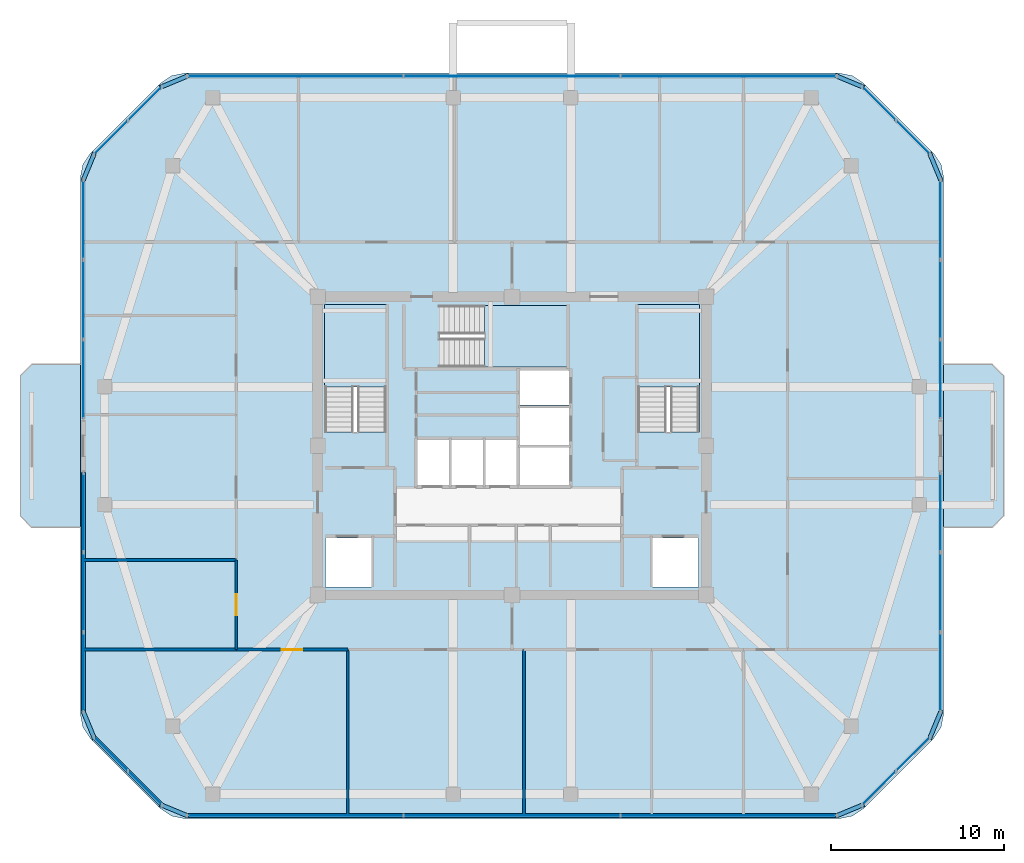
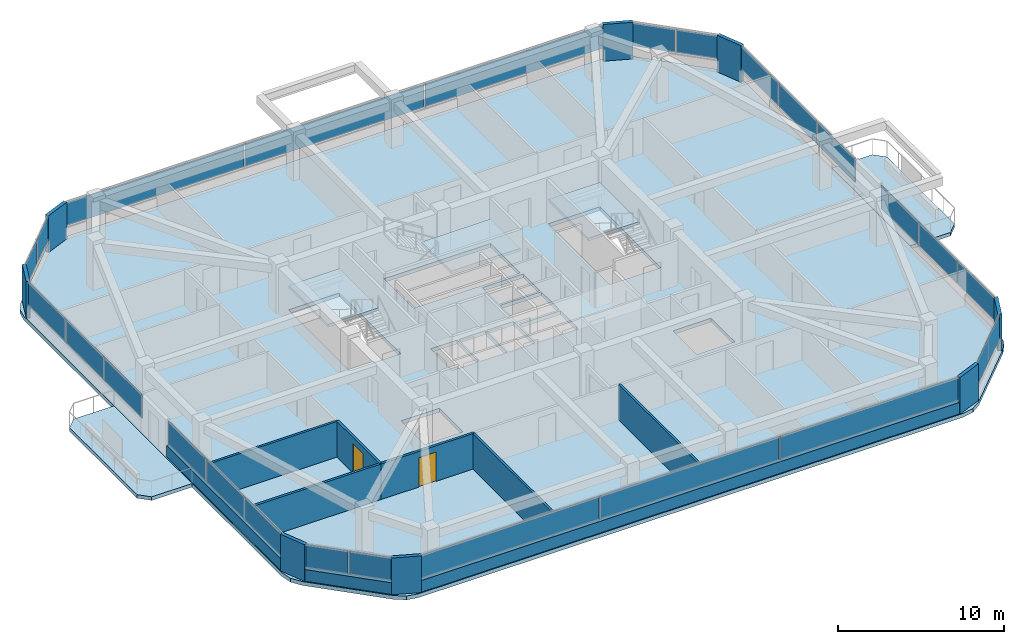
# One storey, part 8 of 14: 34 plates, 9 walls, 6 slabs, 2 doors, 2 openings, 13 elements without a shape of their own.
"""IFC4 building model written with IfcOpenShell, lengths in metres."""

from ifc_helpers import new_model, si_unit, derived_unit, direction, frame, frame_2d, origin, origin_2d, place, context, subcontext, project, spatial, polyline, rectangle, outline, extrude, material, layer, layer_set, type_object, element, fill, aggregate, save


model = new_model("IFC4")

# Units and contexts
model_context = context("Model", 3, precision=1e-05, world=origin(), true_north=direction((0.0, 1.0)))
body_context = subcontext(model_context, "Body", "Model", "MODEL_VIEW")
ifc_project = project(units=[si_unit("LENGTHUNIT", "METRE"), si_unit("AREAUNIT", "SQUARE_METRE"), si_unit("VOLUMEUNIT", "CUBIC_METRE"), si_unit("PLANEANGLEUNIT", "RADIAN"), si_unit("MASSUNIT", "GRAM", prefix="KILO"), derived_unit("THERMALTRANSMITTANCEUNIT", [(si_unit("POWERUNIT", "WATT"), 1), (si_unit("LENGTHUNIT", "METRE"), -2), (si_unit("THERMODYNAMICTEMPERATUREUNIT", "KELVIN"), -1)])], contexts=[model_context])

# Site, building, storey
site_placement = place(None, origin())
site = spatial("IfcSite", under=ifc_project, at=site_placement, CompositionType="ELEMENT")
building_placement = place(site_placement, origin())
building = spatial("IfcBuilding", under=site, at=building_placement, Name="Koralith Skygarden Medical Center", CompositionType="ELEMENT")
storey_placement = place(building_placement, frame((0.0, 0.0, 242.820068359375)))
storey = spatial("IfcBuildingStorey", under=building, at=storey_placement, Name="L62", CompositionType="ELEMENT", Elevation=242.820068359375)

# Curtain wall, plates
ifc_material_1 = material(Name="Clear Laminated Glass", Category="glass")
curtain_wall_type = type_object("IfcCurtainWallType", Name="CW-6 Zone 5 Upper Clinical Curtain Wall", PredefinedType="NOTDEFINED", material=ifc_material_1)
curtain_wall_1_placement = place(storey_placement, origin())
curtain_wall_1 = element("IfcCurtainWall", 1, at=curtain_wall_1_placement, inside=storey, type_object=curtain_wall_type, Name="Curtain Wall CW-L62-S", PredefinedType="NOTDEFINED")
ifc_layer_1 = layer(ifc_material_1, 0.0400390625)
ifc_layer_set_1 = layer_set([ifc_layer_1], Name="Clear Laminated Glass")
plate_type_1 = type_object("IfcPlateType", Name="CW-6 Hurricane Laminated IGU Panel 40", PredefinedType="CURTAIN_PANEL", material=ifc_layer_set_1)
plate_1_placement = place(storey_placement, frame((24.5029296875, 4.580078125, 0.919921875), z_axis=(0.0, 0.0, 1.0), x_axis=(1.0, 0.0, 0.0)))
plate_1 = element("IfcPlate", 2, at=plate_1_placement, type_object=plate_type_1, Name="CW-L62-S Glazed Panel 1", PredefinedType="CURTAIN_PANEL", context=body_context, shape_type="SweptSolid", body=[
    extrude(rectangle(XDim=12.406982421875, YDim=0.0400390625, at=origin_2d()), origin(), (0.0, 0.0, 1.0), 1.699951171875),
])
plate_2_placement = place(storey_placement, frame((37.0, 4.580078125, 0.919921875), z_axis=(0.0, 0.0, 1.0), x_axis=(1.0, 0.0, 0.0)))
plate_2 = element("IfcPlate", 3, at=plate_2_placement, type_object=plate_type_1, Name="CW-L62-S Glazed Panel 2", PredefinedType="CURTAIN_PANEL", context=body_context, shape_type="SweptSolid", body=[
    extrude(rectangle(XDim=12.406982421875, YDim=0.0400390625, at=origin_2d()), origin(), (0.0, 0.0, 1.0), 1.699951171875),
])
plate_3_placement = place(storey_placement, frame((49.4970703125, 4.580078125, 0.919921875), z_axis=(0.0, 0.0, 1.0), x_axis=(1.0, 0.0, 0.0)))
plate_3 = element("IfcPlate", 4, at=plate_3_placement, type_object=plate_type_1, Name="CW-L62-S Glazed Panel 3", PredefinedType="CURTAIN_PANEL", context=body_context, shape_type="SweptSolid", body=[
    extrude(rectangle(XDim=12.406982421875, YDim=0.0400390625, at=origin_2d()), origin(), (0.0, 0.0, 1.0), 1.699951171875),
])
aggregate(curtain_wall_1, [plate_1, plate_2, plate_3])

curtain_wall_2_placement = place(storey_placement, origin())
curtain_wall_2 = element("IfcCurtainWall", 5, at=curtain_wall_2_placement, inside=storey, type_object=curtain_wall_type, Name="Curtain Wall CW-L62-SE", PredefinedType="NOTDEFINED")
plate_4_placement = place(storey_placement, frame((58.177001953125, 6.162109375, 0.919921875), z_axis=(0.0, 0.0, 1.0), x_axis=(0.707106781187, 0.707106781187, 0.0)))
plate_4 = element("IfcPlate", 6, at=plate_4_placement, type_object=plate_type_1, Name="CW-L62-SE Glazed Panel 1", PredefinedType="CURTAIN_PANEL", context=body_context, shape_type="SweptSolid", body=[
    extrude(rectangle(XDim=2.68408203125, YDim=0.0400390625, at=origin_2d()), origin(), (0.0, 0.0, 1.0), 1.699951171875),
])
plate_5_placement = place(storey_placement, frame((60.137939453125, 8.123046875, 0.919921875), z_axis=(0.0, 0.0, 1.0), x_axis=(0.707106781187, 0.707106781187, 0.0)))
plate_5 = element("IfcPlate", 7, at=plate_5_placement, type_object=plate_type_1, Name="CW-L62-SE Glazed Panel 2", PredefinedType="CURTAIN_PANEL", context=body_context, shape_type="SweptSolid", body=[
    extrude(rectangle(XDim=2.68408203125, YDim=0.0400390625, at=origin_2d()), origin(), (0.0, 0.0, 1.0), 1.699951171875),
])
aggregate(curtain_wall_2, [plate_4, plate_5])

curtain_wall_3_placement = place(storey_placement, origin())
curtain_wall_3 = element("IfcCurtainWall", 8, at=curtain_wall_3_placement, inside=storey, type_object=curtain_wall_type, Name="Curtain Wall CW-L62-E-L", PredefinedType="NOTDEFINED")
plate_6_placement = place(storey_placement, frame((61.719970703125, 12.85595703125, 0.919921875), z_axis=(0.0, 0.0, 1.0), x_axis=(0.0, 1.0, 0.0)))
plate_6 = element("IfcPlate", 9, at=plate_6_placement, type_object=plate_type_1, Name="CW-L62-E-L Glazed Panel 1", PredefinedType="CURTAIN_PANEL", context=body_context, shape_type="SweptSolid", body=[
    extrude(rectangle(XDim=4.511962890625, YDim=0.0400390625, at=origin_2d()), origin(), (0.0, 0.0, 1.0), 1.699951171875),
])
plate_7_placement = place(storey_placement, frame((61.719970703125, 17.45703125, 0.919921875), z_axis=(0.0, 0.0, 1.0), x_axis=(0.0, 1.0, 0.0)))
plate_7 = element("IfcPlate", 10, at=plate_7_placement, type_object=plate_type_1, Name="CW-L62-E-L Glazed Panel 2", PredefinedType="CURTAIN_PANEL", context=body_context, shape_type="SweptSolid", body=[
    extrude(rectangle(XDim=4.511962890625, YDim=0.0400390625, at=origin_2d()), origin(), (0.0, 0.0, 1.0), 1.699951171875),
])
plate_8_placement = place(storey_placement, frame((61.719970703125, 22.05908203125, 0.919921875), z_axis=(0.0, 0.0, 1.0), x_axis=(0.0, 1.0, 0.0)))
plate_8 = element("IfcPlate", 11, at=plate_8_placement, type_object=plate_type_1, Name="CW-L62-E-L Glazed Panel 3", PredefinedType="CURTAIN_PANEL", context=body_context, shape_type="SweptSolid", body=[
    extrude(rectangle(XDim=4.511962890625, YDim=0.0400390625, at=origin_2d()), origin(), (0.0, 0.0, 1.0), 1.699951171875),
])
aggregate(curtain_wall_3, [plate_6, plate_7, plate_8])

curtain_wall_4_placement = place(storey_placement, origin())
curtain_wall_4 = element("IfcCurtainWall", 12, at=curtain_wall_4_placement, inside=storey, type_object=curtain_wall_type, Name="Curtain Wall CW-L62-E-R", PredefinedType="NOTDEFINED")
plate_9_placement = place(storey_placement, frame((61.719970703125, 29.740966796875, 0.919921875), z_axis=(0.0, 0.0, 1.0), x_axis=(0.0, 1.0, 0.0)))
plate_9 = element("IfcPlate", 13, at=plate_9_placement, type_object=plate_type_1, Name="CW-L62-E-R Glazed Panel 1", PredefinedType="CURTAIN_PANEL", context=body_context, shape_type="SweptSolid", body=[
    extrude(rectangle(XDim=4.511962890625, YDim=0.0400390625, at=origin_2d()), origin(), (0.0, 0.0, 1.0), 1.699951171875),
])
plate_10_placement = place(storey_placement, frame((61.719970703125, 34.343017578125, 0.919921875), z_axis=(0.0, 0.0, 1.0), x_axis=(0.0, 1.0, 0.0)))
plate_10 = element("IfcPlate", 14, at=plate_10_placement, type_object=plate_type_1, Name="CW-L62-E-R Glazed Panel 2", PredefinedType="CURTAIN_PANEL", context=body_context, shape_type="SweptSolid", body=[
    extrude(rectangle(XDim=4.511962890625, YDim=0.0400390625, at=origin_2d()), origin(), (0.0, 0.0, 1.0), 1.699951171875),
])
plate_11_placement = place(storey_placement, frame((61.719970703125, 38.944091796875, 0.919921875), z_axis=(0.0, 0.0, 1.0), x_axis=(0.0, 1.0, 0.0)))
plate_11 = element("IfcPlate", 15, at=plate_11_placement, type_object=plate_type_1, Name="CW-L62-E-R Glazed Panel 3", PredefinedType="CURTAIN_PANEL", context=body_context, shape_type="SweptSolid", body=[
    extrude(rectangle(XDim=4.511962890625, YDim=0.0400390625, at=origin_2d()), origin(), (0.0, 0.0, 1.0), 1.699951171875),
])
aggregate(curtain_wall_4, [plate_9, plate_10, plate_11])

curtain_wall_5_placement = place(storey_placement, origin())
curtain_wall_5 = element("IfcCurtainWall", 16, at=curtain_wall_5_placement, inside=storey, type_object=curtain_wall_type, Name="Curtain Wall CW-L62-NE", PredefinedType="NOTDEFINED")
plate_12_placement = place(storey_placement, frame((60.137939453125, 43.677001953125, 0.919921875), z_axis=(0.0, 0.0, 1.0), x_axis=(-0.707106781187, 0.707106781187, 0.0)))
plate_12 = element("IfcPlate", 17, at=plate_12_placement, type_object=plate_type_1, Name="CW-L62-NE Glazed Panel 1", PredefinedType="CURTAIN_PANEL", context=body_context, shape_type="SweptSolid", body=[
    extrude(rectangle(XDim=2.68408203125, YDim=0.0400390625, at=origin_2d()), origin(), (0.0, 0.0, 1.0), 1.699951171875),
])
plate_13_placement = place(storey_placement, frame((58.177001953125, 45.637939453125, 0.919921875), z_axis=(0.0, 0.0, 1.0), x_axis=(-0.707106781187, 0.707106781187, 0.0)))
plate_13 = element("IfcPlate", 18, at=plate_13_placement, type_object=plate_type_1, Name="CW-L62-NE Glazed Panel 2", PredefinedType="CURTAIN_PANEL", context=body_context, shape_type="SweptSolid", body=[
    extrude(rectangle(XDim=2.68408203125, YDim=0.0400390625, at=origin_2d()), origin(), (0.0, 0.0, 1.0), 1.699951171875),
])
aggregate(curtain_wall_5, [plate_12, plate_13])

curtain_wall_6_placement = place(storey_placement, origin())
curtain_wall_6 = element("IfcCurtainWall", 19, at=curtain_wall_6_placement, inside=storey, type_object=curtain_wall_type, Name="Curtain Wall CW-L62-N", PredefinedType="NOTDEFINED")
plate_14_placement = place(storey_placement, frame((49.4970703125, 47.219970703125, 0.919921875), z_axis=(0.0, 0.0, 1.0), x_axis=(-1.0, 0.0, 0.0)))
plate_14 = element("IfcPlate", 20, at=plate_14_placement, type_object=plate_type_1, Name="CW-L62-N Glazed Panel 1", PredefinedType="CURTAIN_PANEL", context=body_context, shape_type="SweptSolid", body=[
    extrude(rectangle(XDim=12.406982421875, YDim=0.0400390625, at=origin_2d()), origin(), (0.0, 0.0, 1.0), 1.699951171875),
])
plate_15_placement = place(storey_placement, frame((37.0, 47.219970703125, 0.919921875), z_axis=(0.0, 0.0, 1.0), x_axis=(-1.0, 0.0, 0.0)))
plate_15 = element("IfcPlate", 21, at=plate_15_placement, type_object=plate_type_1, Name="CW-L62-N Glazed Panel 2", PredefinedType="CURTAIN_PANEL", context=body_context, shape_type="SweptSolid", body=[
    extrude(rectangle(XDim=12.406982421875, YDim=0.0400390625, at=origin_2d()), origin(), (0.0, 0.0, 1.0), 1.699951171875),
])
plate_16_placement = place(storey_placement, frame((24.5029296875, 47.219970703125, 0.919921875), z_axis=(0.0, 0.0, 1.0), x_axis=(-1.0, 0.0, 0.0)))
plate_16 = element("IfcPlate", 22, at=plate_16_placement, type_object=plate_type_1, Name="CW-L62-N Glazed Panel 3", PredefinedType="CURTAIN_PANEL", context=body_context, shape_type="SweptSolid", body=[
    extrude(rectangle(XDim=12.406982421875, YDim=0.0400390625, at=origin_2d()), origin(), (0.0, 0.0, 1.0), 1.699951171875),
])
aggregate(curtain_wall_6, [plate_14, plate_15, plate_16])

curtain_wall_7_placement = place(storey_placement, origin())
curtain_wall_7 = element("IfcCurtainWall", 23, at=curtain_wall_7_placement, inside=storey, type_object=curtain_wall_type, Name="Curtain Wall CW-L62-NW", PredefinedType="NOTDEFINED")
plate_17_placement = place(storey_placement, frame((15.822998046875, 45.637939453125, 0.919921875), z_axis=(0.0, 0.0, 1.0), x_axis=(-0.707106781187, -0.707106781187, 0.0)))
plate_17 = element("IfcPlate", 24, at=plate_17_placement, type_object=plate_type_1, Name="CW-L62-NW Glazed Panel 1", PredefinedType="CURTAIN_PANEL", context=body_context, shape_type="SweptSolid", body=[
    extrude(rectangle(XDim=2.68408203125, YDim=0.0400390625, at=origin_2d()), origin(), (0.0, 0.0, 1.0), 1.699951171875),
])
plate_18_placement = place(storey_placement, frame((13.862060546875, 43.677001953125, 0.919921875), z_axis=(0.0, 0.0, 1.0), x_axis=(-0.707106781187, -0.707106781187, 0.0)))
plate_18 = element("IfcPlate", 25, at=plate_18_placement, type_object=plate_type_1, Name="CW-L62-NW Glazed Panel 2", PredefinedType="CURTAIN_PANEL", context=body_context, shape_type="SweptSolid", body=[
    extrude(rectangle(XDim=2.68408203125, YDim=0.0400390625, at=origin_2d()), origin(), (0.0, 0.0, 1.0), 1.699951171875),
])
aggregate(curtain_wall_7, [plate_17, plate_18])

curtain_wall_8_placement = place(storey_placement, origin())
curtain_wall_8 = element("IfcCurtainWall", 26, at=curtain_wall_8_placement, inside=storey, type_object=curtain_wall_type, Name="Curtain Wall CW-L62-W-L", PredefinedType="NOTDEFINED")
plate_19_placement = place(storey_placement, frame((12.280029296875, 38.944091796875, 0.919921875), z_axis=(0.0, 0.0, 1.0), x_axis=(0.0, -1.0, 0.0)))
plate_19 = element("IfcPlate", 27, at=plate_19_placement, type_object=plate_type_1, Name="CW-L62-W-L Glazed Panel 1", PredefinedType="CURTAIN_PANEL", context=body_context, shape_type="SweptSolid", body=[
    extrude(rectangle(XDim=4.511962890625, YDim=0.0400390625, at=origin_2d()), origin(), (0.0, 0.0, 1.0), 1.699951171875),
])
plate_20_placement = place(storey_placement, frame((12.280029296875, 34.343017578125, 0.919921875), z_axis=(0.0, 0.0, 1.0), x_axis=(0.0, -1.0, 0.0)))
plate_20 = element("IfcPlate", 28, at=plate_20_placement, type_object=plate_type_1, Name="CW-L62-W-L Glazed Panel 2", PredefinedType="CURTAIN_PANEL", context=body_context, shape_type="SweptSolid", body=[
    extrude(rectangle(XDim=4.511962890625, YDim=0.0400390625, at=origin_2d()), origin(), (0.0, 0.0, 1.0), 1.699951171875),
])
plate_21_placement = place(storey_placement, frame((12.280029296875, 29.740966796875, 0.919921875), z_axis=(0.0, 0.0, 1.0), x_axis=(0.0, -1.0, 0.0)))
plate_21 = element("IfcPlate", 29, at=plate_21_placement, type_object=plate_type_1, Name="CW-L62-W-L Glazed Panel 3", PredefinedType="CURTAIN_PANEL", context=body_context, shape_type="SweptSolid", body=[
    extrude(rectangle(XDim=4.511962890625, YDim=0.0400390625, at=origin_2d()), origin(), (0.0, 0.0, 1.0), 1.699951171875),
])
aggregate(curtain_wall_8, [plate_19, plate_20, plate_21])

curtain_wall_9_placement = place(storey_placement, origin())
curtain_wall_9 = element("IfcCurtainWall", 30, at=curtain_wall_9_placement, inside=storey, type_object=curtain_wall_type, Name="Curtain Wall CW-L62-W-R", PredefinedType="NOTDEFINED")
plate_22_placement = place(storey_placement, frame((12.280029296875, 22.05908203125, 0.919921875), z_axis=(0.0, 0.0, 1.0), x_axis=(0.0, -1.0, 0.0)))
plate_22 = element("IfcPlate", 31, at=plate_22_placement, type_object=plate_type_1, Name="CW-L62-W-R Glazed Panel 1", PredefinedType="CURTAIN_PANEL", context=body_context, shape_type="SweptSolid", body=[
    extrude(rectangle(XDim=4.511962890625, YDim=0.0400390625, at=origin_2d()), origin(), (0.0, 0.0, 1.0), 1.699951171875),
])
plate_23_placement = place(storey_placement, frame((12.280029296875, 17.45703125, 0.919921875), z_axis=(0.0, 0.0, 1.0), x_axis=(0.0, -1.0, 0.0)))
plate_23 = element("IfcPlate", 32, at=plate_23_placement, type_object=plate_type_1, Name="CW-L62-W-R Glazed Panel 2", PredefinedType="CURTAIN_PANEL", context=body_context, shape_type="SweptSolid", body=[
    extrude(rectangle(XDim=4.511962890625, YDim=0.0400390625, at=origin_2d()), origin(), (0.0, 0.0, 1.0), 1.699951171875),
])
plate_24_placement = place(storey_placement, frame((12.280029296875, 12.85595703125, 0.919921875), z_axis=(0.0, 0.0, 1.0), x_axis=(0.0, -1.0, 0.0)))
plate_24 = element("IfcPlate", 33, at=plate_24_placement, type_object=plate_type_1, Name="CW-L62-W-R Glazed Panel 3", PredefinedType="CURTAIN_PANEL", context=body_context, shape_type="SweptSolid", body=[
    extrude(rectangle(XDim=4.511962890625, YDim=0.0400390625, at=origin_2d()), origin(), (0.0, 0.0, 1.0), 1.699951171875),
])
aggregate(curtain_wall_9, [plate_22, plate_23, plate_24])

curtain_wall_10_placement = place(storey_placement, origin())
curtain_wall_10 = element("IfcCurtainWall", 34, at=curtain_wall_10_placement, inside=storey, type_object=curtain_wall_type, Name="Curtain Wall CW-L62-SW", PredefinedType="NOTDEFINED")
plate_25_placement = place(storey_placement, frame((13.862060546875, 8.123046875, 0.919921875), z_axis=(0.0, 0.0, 1.0), x_axis=(0.707106781187, -0.707106781187, 0.0)))
plate_25 = element("IfcPlate", 35, at=plate_25_placement, type_object=plate_type_1, Name="CW-L62-SW Glazed Panel 1", PredefinedType="CURTAIN_PANEL", context=body_context, shape_type="SweptSolid", body=[
    extrude(rectangle(XDim=2.68408203125, YDim=0.0400390625, at=origin_2d()), origin(), (0.0, 0.0, 1.0), 1.699951171875),
])
plate_26_placement = place(storey_placement, frame((15.822998046875, 6.162109375, 0.919921875), z_axis=(0.0, 0.0, 1.0), x_axis=(0.707106781187, -0.707106781187, 0.0)))
plate_26 = element("IfcPlate", 36, at=plate_26_placement, type_object=plate_type_1, Name="CW-L62-SW Glazed Panel 2", PredefinedType="CURTAIN_PANEL", context=body_context, shape_type="SweptSolid", body=[
    extrude(rectangle(XDim=2.68408203125, YDim=0.0400390625, at=origin_2d()), origin(), (0.0, 0.0, 1.0), 1.699951171875),
])
aggregate(curtain_wall_10, [plate_25, plate_26])

# Slabs
ifc_material_2 = material(Name="Concrete C45/55", Category="concrete")
ifc_layer_2 = layer(ifc_material_2, 0.260009765625)
ifc_layer_set_2 = layer_set([ifc_layer_2], Name="Concrete C45/55")
slab_type_1 = type_object("IfcSlabType", Name="Cantilevered Planted Balcony Slab 260", PredefinedType="FLOOR", material=ifc_layer_set_2)
slab_1_placement = place(storey_placement, frame((0.0, 0.0, -0.260009765625)))
element("IfcSlab", 37, at=slab_1_placement, inside=storey, type_object=slab_type_1, Name="L62 E Planted Sky-Garden Balcony Slab", PredefinedType="FLOOR", context=body_context, shape_type="SweptSolid", body=[
    extrude(outline(polyline([(61.89990234375, 21.199951171875), (64.699951171875, 21.199951171875), (65.35009765625, 21.85009765625), (65.35009765625, 29.949951171875), (64.699951171875, 30.60009765625), (61.89990234375, 30.60009765625), (61.89990234375, 21.199951171875)])), origin(), (0.0, 0.0, 1.0), 0.260009765625),
])
slab_2_placement = place(storey_placement, frame((0.0, 0.0, -0.260009765625)))
element("IfcSlab", 38, at=slab_2_placement, inside=storey, type_object=slab_type_1, Name="L62 W Planted Sky-Garden Balcony Slab", PredefinedType="FLOOR", context=body_context, shape_type="SweptSolid", body=[
    extrude(outline(polyline([(9.300048828125, 21.199951171875), (12.10009765625, 21.199951171875), (12.10009765625, 30.60009765625), (9.300048828125, 30.60009765625), (8.64990234375, 29.949951171875), (8.64990234375, 21.85009765625), (9.300048828125, 21.199951171875)])), origin(), (0.0, 0.0, 1.0), 0.260009765625),
])

# Stair, slab
stair_type = type_object("IfcStairType", Name="Core Exit Dogleg Concrete Stair", PredefinedType="HALF_TURN_STAIR", material=ifc_material_2)
stair_1_placement = place(storey_placement, origin())
stair_1 = element("IfcStair", 39, at=stair_1_placement, inside=storey, type_object=stair_type, Name="L62 Smokeproof Exit Stair ST1", PredefinedType="HALF_TURN_STAIR")
ifc_layer_3 = layer(ifc_material_2, 0.199951171875)
ifc_layer_set_3 = layer_set([ifc_layer_3], Name="Concrete C45/55")
slab_type_2 = type_object("IfcSlabType", Name="Core Exit Concrete Stair Landing 200", PredefinedType="LANDING", material=ifc_layer_set_3)
slab_3_placement = place(storey_placement, frame((0.0, 0.0, 1.599853515625)))
slab_3 = element("IfcSlab", 40, at=slab_3_placement, type_object=slab_type_2, Name="ST1 landing 1", PredefinedType="LANDING", context=body_context, shape_type="SweptSolid", body=[
    extrude(outline(polyline([(29.75, 29.31005859375), (29.75, 34.050048828125), (26.199951171875, 34.050048828125), (26.199951171875, 29.31005859375), (29.75, 29.31005859375)])), origin(), (0.0, 0.0, 1.0), 0.2001953125),
])
aggregate(stair_1, [slab_3])

stair_2_placement = place(storey_placement, origin())
stair_2 = element("IfcStair", 41, at=stair_2_placement, inside=storey, type_object=stair_type, Name="L62 Smokeproof Exit Stair ST2", PredefinedType="HALF_TURN_STAIR")
slab_4_placement = place(storey_placement, frame((0.0, 0.0, 1.599853515625)))
slab_4 = element("IfcSlab", 42, at=slab_4_placement, type_object=slab_type_2, Name="ST2 landing 1", PredefinedType="LANDING", context=body_context, shape_type="SweptSolid", body=[
    extrude(outline(polyline([(47.800048828125, 29.31005859375), (47.800048828125, 34.050048828125), (44.25, 34.050048828125), (44.25, 29.31005859375), (47.800048828125, 29.31005859375)])), origin(), (0.0, 0.0, 1.0), 0.2001953125),
])
aggregate(stair_2, [slab_4])

stair_3_placement = place(storey_placement, origin())
stair_3 = element("IfcStair", 43, at=stair_3_placement, inside=storey, type_object=stair_type, Name="L62 Smokeproof Exit Stair ST3", PredefinedType="HALF_TURN_STAIR")
slab_5_placement = place(storey_placement, frame((0.0, 0.0, 1.599853515625)))
slab_5 = element("IfcSlab", 44, at=slab_5_placement, type_object=slab_type_2, Name="ST3 landing 1", PredefinedType="LANDING", context=body_context, shape_type="SweptSolid", body=[
    extrude(outline(polyline([(35.409912109375, 30.449951171875), (40.199951171875, 30.449951171875), (40.199951171875, 34.0), (35.409912109375, 34.0), (35.409912109375, 30.449951171875)])), origin(), (0.0, 0.0, 1.0), 0.2001953125),
])
aggregate(stair_3, [slab_5])

# Slab
ifc_layer_4 = layer(ifc_material_2, 0.280029296875)
ifc_layer_set_4 = layer_set([ifc_layer_4], Name="Concrete C45/55")
slab_type_3 = type_object("IfcSlabType", Name="Post-Tensioned Ward Floor Plate 280", PredefinedType="FLOOR", material=ifc_layer_set_4)
slab_6_placement = place(storey_placement, frame((0.0, 0.0, -0.280029296875)))
element("IfcSlab", 45, at=slab_6_placement, inside=storey, type_object=slab_type_3, Name="Level L62 Structural Floor Slab", PredefinedType="FLOOR", context=body_context, shape_type="SweptSolid", body=[
    extrude(outline(polyline([(16.714111328125, 4.986083984375), (17.363037109375, 4.552001953125), (18.1279296875, 4.39990234375), (55.8720703125, 4.39990234375), (56.636962890625, 4.552001953125), (57.285888671875, 4.986083984375), (61.31396484375, 9.013916015625), (61.748046875, 9.6630859375), (61.89990234375, 10.427978515625), (61.89990234375, 41.3720703125), (61.748046875, 42.136962890625), (61.31396484375, 42.785888671875), (57.285888671875, 46.81396484375), (56.636962890625, 47.248046875), (55.8720703125, 47.39990234375), (18.1279296875, 47.39990234375), (17.363037109375, 47.248046875), (16.714111328125, 46.81396484375), (12.68603515625, 42.785888671875), (12.251953125, 42.136962890625), (12.10009765625, 41.3720703125), (12.10009765625, 10.427978515625), (12.251953125, 9.6630859375), (12.68603515625, 9.013916015625), (16.714111328125, 4.986083984375)]), holes=[polyline([(26.199951171875, 26.705078125), (29.75, 26.705078125), (29.75, 34.050048828125), (26.199951171875, 34.050048828125), (26.199951171875, 26.705078125)]), polyline([(44.25, 26.705078125), (47.800048828125, 26.705078125), (47.800048828125, 34.050048828125), (44.25, 34.050048828125), (44.25, 26.705078125)]), polyline([(32.804931640625, 30.449951171875), (40.199951171875, 30.449951171875), (40.199951171875, 34.0), (32.804931640625, 34.0), (32.804931640625, 30.449951171875)]), polyline([(26.25, 17.75), (28.89990234375, 17.75), (28.89990234375, 20.60009765625), (26.25, 20.60009765625), (26.25, 17.75)]), polyline([(45.10009765625, 17.75), (47.75, 17.75), (47.75, 20.60009765625), (45.10009765625, 20.60009765625), (45.10009765625, 17.75)]), polyline([(31.550048828125, 23.64990234375), (33.39990234375, 23.64990234375), (33.39990234375, 26.25), (31.550048828125, 26.25), (31.550048828125, 23.64990234375)]), polyline([(33.5, 23.64990234375), (35.35009765625, 23.64990234375), (35.35009765625, 26.25), (33.5, 26.25), (33.5, 23.64990234375)]), polyline([(35.449951171875, 23.64990234375), (37.300048828125, 23.64990234375), (37.300048828125, 26.25), (35.449951171875, 26.25), (35.449951171875, 23.64990234375)]), polyline([(37.449951171875, 23.64990234375), (40.300048828125, 23.64990234375), (40.300048828125, 25.800048828125), (37.449951171875, 25.800048828125), (37.449951171875, 23.64990234375)]), polyline([(37.449951171875, 25.949951171875), (40.300048828125, 25.949951171875), (40.300048828125, 28.10009765625), (37.449951171875, 28.10009765625), (37.449951171875, 25.949951171875)]), polyline([(37.449951171875, 28.25), (40.300048828125, 28.25), (40.300048828125, 30.25), (37.449951171875, 30.25), (37.449951171875, 28.25)])]), origin(), (0.0, 0.0, 1.0), 0.280029296875),
])

# Plates
ifc_material_3 = material(Name="Warm Oolitic Limestone Cladding", Category="masonry")
ifc_layer_5 = layer(ifc_material_3, 0.239990234375)
ifc_layer_set_5 = layer_set([ifc_layer_5], Name="Warm Oolitic Limestone Cladding")
plate_type_2 = type_object("IfcPlateType", Name="Rounded-Corner Oolitic Limestone Cladding Panel 240", PredefinedType="USERDEFINED", material=ifc_layer_set_5)
for number, where, z_axis, x_axis, name in (
    (46, (56.470947265625, 4.8798828125, 0.0), (0.0, 0.0, 1.0), (0.92388487569, 0.382670532536, 0.0), "L62 Rounded-Corner Limestone Pier 1"),
    (47, (61.4189453125, 9.8291015625, 0.0), (0.0, 0.0, 1.0), (0.382670532536, 0.92388487569, 0.0), "L62 Rounded-Corner Limestone Pier 2"),
    (48, (61.4189453125, 41.970947265625, 0.0), (0.0, 0.0, 1.0), (-0.382670532536, 0.92388487569, 0.0), "L62 Rounded-Corner Limestone Pier 3"),
    (49, (56.470947265625, 46.9189453125, 0.0), (0.0, 0.0, 1.0), (-0.92388487569, 0.382670532536, 0.0), "L62 Rounded-Corner Limestone Pier 4"),
    (50, (17.529052734375, 46.9189453125, 0.0), (0.0, 0.0, 1.0), (-0.92388487569, -0.382670532536, 0.0), "L62 Rounded-Corner Limestone Pier 5"),
    (51, (12.5810546875, 41.970947265625, 0.0), (0.0, 0.0, 1.0), (-0.382670532536, -0.92388487569, 0.0), "L62 Rounded-Corner Limestone Pier 6"),
    (52, (12.5810546875, 9.8291015625, 0.0), (0.0, 0.0, 1.0), (0.382670532536, -0.92388487569, 0.0), "L62 Rounded-Corner Limestone Pier 7"),
    (53, (17.529052734375, 4.8798828125, 0.0), (0.0, 0.0, 1.0), (0.92388487569, -0.382670532536, 0.0), "L62 Rounded-Corner Limestone Pier 8"),
):
    element("IfcPlate", number, at=place(storey_placement, frame(where, z_axis=z_axis, x_axis=x_axis)), inside=storey, type_object=plate_type_2, Name=name, ObjectType="LIMESTONE CLADDING", PredefinedType="USERDEFINED", context=body_context, shape_type="SweptSolid", body=[
        extrude(rectangle(XDim=1.81103515625, YDim=0.239990234375, at=origin_2d()), origin(), (0.0, 0.0, 1.0), 2.68994140625),
    ])

# Walls
ifc_material_4 = material(Name="Gypsum Board Partition")
ifc_layer_6 = layer(ifc_material_4, 0.14990234375)
ifc_layer_set_6 = layer_set([ifc_layer_6], Name="Gypsum Board Partition")
wall_type_1 = type_object("IfcWallType", Name="Clinical Acoustic Partition 150", PredefinedType="PARTITIONING", material=ifc_layer_set_6)
for number, where, z_axis, x_axis, name in (
    (54, (27.528076171875, 14.14990234375, 0.0), (0.0, 0.0, 1.0), (0.0, -1.0, 0.0), "L62 Clinical Acoustic Partition 150 W-PART-L62-S-01"),
    (55, (37.69091796875, 14.14990234375, 0.0), (0.0, 0.0, 1.0), (0.0, -1.0, 0.0), "L62 Clinical Acoustic Partition 150 W-PART-L62-S-02"),
):
    element("IfcWall", number, at=place(storey_placement, frame(where, z_axis=z_axis, x_axis=x_axis)), inside=storey, type_object=wall_type_1, Name=name, PredefinedType="PARTITIONING", context=body_context, shape_type="SweptSolid", body=[
        extrude(rectangle(XDim=9.5498046875, YDim=0.14990234375, at=frame_2d((4.77490234375, 0.0))), origin(), (0.0, 0.0, 1.0), 2.60986328125),
    ])
wall_1_placement = place(storey_placement, frame((21.10009765625, 19.320068359375, 0.0), z_axis=(0.0, 0.0, 1.0), x_axis=(-1.0, 0.0, 0.0)))
element("IfcWall", 56, at=wall_1_placement, inside=storey, type_object=wall_type_1, Name="L62 Clinical Acoustic Partition 150 W-PART-L62-W-01", PredefinedType="PARTITIONING", context=body_context, shape_type="SweptSolid", body=[
    extrude(rectangle(XDim=8.800048828125, YDim=0.14990234375, at=frame_2d((4.39990234375, 0.0))), origin(), (0.0, 0.0, 1.0), 2.60986328125),
])
ifc_layer_7 = layer(ifc_material_4, 0.1650390625)
ifc_layer_set_7 = layer_set([ifc_layer_7], Name="Gypsum Board Partition")
wall_type_2 = type_object("IfcWallType", Name="Clinical Corridor Partition 165", PredefinedType="PARTITIONING", material=ifc_layer_set_7)
wall_2_placement = place(storey_placement, frame((12.300048828125, 14.14990234375, 0.0), z_axis=(0.0, 0.0, 1.0), x_axis=(1.0, 0.0, 0.0)))
element("IfcWall", 57, at=wall_2_placement, inside=storey, type_object=wall_type_2, Name="L62 Clinical Corridor Partition 165 W-WB-L62-SW", PredefinedType="PARTITIONING", context=body_context, shape_type="SweptSolid", body=[
    extrude(rectangle(XDim=8.800048828125, YDim=0.1650390625, at=frame_2d((4.39990234375, 0.0))), origin(), (0.0, 0.0, 1.0), 2.60986328125),
])

# Wall, opening, door
wall_3_placement = place(storey_placement, frame((21.10009765625, 14.14990234375, 0.0), z_axis=(0.0, 0.0, 1.0), x_axis=(1.0, 0.0, 0.0)))
wall_3 = element("IfcWall", 58, at=wall_3_placement, inside=storey, type_object=wall_type_2, Name="L62 Clinical Corridor Partition 165 W-CORR-L62-S-01", PredefinedType="PARTITIONING", context=body_context, shape_type="SweptSolid", body=[
    extrude(rectangle(XDim=6.427978515625, YDim=0.1650390625, at=frame_2d((3.2138671875, 0.0))), origin(), (0.0, 0.0, 1.0), 2.60986328125),
])
opening_1_placement = place(wall_3_placement, frame((2.614013671875, 0.0, 0.0)))
opening_1 = element("IfcOpeningElement", 59, at=opening_1_placement, cuts=wall_3, Name="Opening D-CLN", PredefinedType="OPENING", context=body_context, shape_type="SweptSolid", body=[
    extrude(rectangle(XDim=1.199951171875, YDim=2.14990234375, at=frame_2d((0.60009765625, 1.074951171875))), frame((0.0, 0.092529296875, 0.0), z_axis=(0.0, -1.0, 0.0), x_axis=(1.0, 0.0, 0.0)), (0.0, 0.0, 1.0), 0.18505859375),
])
ifc_material_5 = material(Name="Aluminium 6063-T6", Category="aluminium")
door_type = type_object("IfcDoorType", Name="Clinical Corridor Door D-CLN 1200", OperationType="NOTDEFINED", PredefinedType="DOOR", material=ifc_material_5)
door_1_placement = place(opening_1_placement, frame((1.199951171875, 0.0, 0.0), z_axis=(0.0, 0.0, 1.0), x_axis=(-1.0, 0.0, 0.0)))
door_1 = element("IfcDoor", 60, at=door_1_placement, inside=storey, type_object=door_type, Name="L62 Clinical Pharmacist Office 06 Door", OperationType="SINGLE_SWING_LEFT", OverallHeight=2.14990234375, OverallWidth=1.199951171875, PredefinedType="DOOR", context=body_context, shape_type="SweptSolid", body=[
    extrude(rectangle(XDim=1.199951171875, YDim=2.14990234375, at=frame_2d((0.60009765625, 1.074951171875))), frame((0.0, 0.02490234375, 0.0), z_axis=(0.0, -1.0, 0.0), x_axis=(1.0, 0.0, 0.0)), (0.0, 0.0, 1.0), 0.050048828125),
])
fill(opening_1, door_1)

wall_4_placement = place(storey_placement, frame((21.10009765625, 14.14990234375, 0.0), z_axis=(0.0, 0.0, 1.0), x_axis=(0.0, 1.0, 0.0)))
wall_4 = element("IfcWall", 61, at=wall_4_placement, inside=storey, type_object=wall_type_2, Name="L62 Clinical Corridor Partition 165 W-CORR-L62-W-01", PredefinedType="PARTITIONING", context=body_context, shape_type="SweptSolid", body=[
    extrude(rectangle(XDim=5.170166015625, YDim=0.1650390625, at=frame_2d((2.5849609375, 0.0))), origin(), (0.0, 0.0, 1.0), 2.60986328125),
])
opening_2_placement = place(wall_4_placement, frame((1.985107421875, 0.0, 0.0)))
opening_2 = element("IfcOpeningElement", 62, at=opening_2_placement, cuts=wall_4, Name="Opening D-CLN", PredefinedType="OPENING", context=body_context, shape_type="SweptSolid", body=[
    extrude(rectangle(XDim=1.199951171875, YDim=2.14990234375, at=frame_2d((0.60009765625, 1.074951171875))), frame((0.0, 0.092529296875, 0.0), z_axis=(0.0, -1.0, 0.0), x_axis=(1.0, 0.0, 0.0)), (0.0, 0.0, 1.0), 0.18505859375),
])
door_2_placement = place(opening_2_placement, frame((1.199951171875, 0.0, 0.0), z_axis=(0.0, 0.0, 1.0), x_axis=(-1.0, 0.0, 0.0)))
door_2 = element("IfcDoor", 63, at=door_2_placement, inside=storey, type_object=door_type, Name="L62 Social Work Counseling Office 11 Door", OperationType="SINGLE_SWING_RIGHT", OverallHeight=2.14990234375, OverallWidth=1.199951171875, PredefinedType="DOOR", context=body_context, shape_type="SweptSolid", body=[
    extrude(rectangle(XDim=1.199951171875, YDim=2.14990234375, at=frame_2d((0.60009765625, 1.074951171875))), frame((0.0, 0.02490234375, 0.0), z_axis=(0.0, -1.0, 0.0), x_axis=(1.0, 0.0, 0.0)), (0.0, 0.0, 1.0), 0.050048828125),
])
fill(opening_2, door_2)

# Walls
ifc_layer_8 = layer(ifc_material_3, 0.239990234375)
ifc_layer_set_8 = layer_set([ifc_layer_8], Name="Warm Oolitic Limestone Cladding")
wall_type_3 = type_object("IfcWallType", Name="Limestone Spandrel Sill Backup Wall 240", PredefinedType="SOLIDWALL", material=ifc_layer_set_8)
wall_5_placement = place(storey_placement, frame((18.2548828125, 4.580078125, 0.0), z_axis=(0.0, 0.0, 1.0), x_axis=(1.0, 0.0, 0.0)))
element("IfcWall", 64, at=wall_5_placement, inside=storey, type_object=wall_type_3, Name="L62 Sill Spandrel S", PredefinedType="SOLIDWALL", context=body_context, shape_type="SweptSolid", body=[
    extrude(rectangle(XDim=37.490234375, YDim=0.239990234375, at=frame_2d((18.7451171875, 0.0))), origin(), (0.0, 0.0, 1.0), 0.849853515625),
])
wall_6_placement = place(storey_placement, frame((12.280029296875, 24.360107421875, 0.0), z_axis=(0.0, 0.0, 1.0), x_axis=(0.0, -1.0, 0.0)))
element("IfcWall", 65, at=wall_6_placement, inside=storey, type_object=wall_type_3, Name="L62 Sill Spandrel W-R", PredefinedType="SOLIDWALL", context=body_context, shape_type="SweptSolid", body=[
    extrude(rectangle(XDim=13.80517578125, YDim=0.239990234375, at=frame_2d((6.902587890625, 0.0))), origin(), (0.0, 0.0, 1.0), 0.849853515625),
])
wall_7_placement = place(storey_placement, frame((12.881103515625, 9.10400390625, 0.0), z_axis=(0.0, 0.0, 1.0), x_axis=(0.707084777957, -0.707128783731, 0.0)))
element("IfcWall", 66, at=wall_7_placement, inside=storey, type_object=wall_type_3, Name="L62 Sill Spandrel SW", PredefinedType="SOLIDWALL", context=body_context, shape_type="SweptSolid", body=[
    extrude(rectangle(XDim=5.5478515625, YDim=0.239990234375, at=frame_2d((2.77392578125, 0.0))), origin(), (0.0, 0.0, 1.0), 0.849853515625),
])

save(model, "model.ifc")
